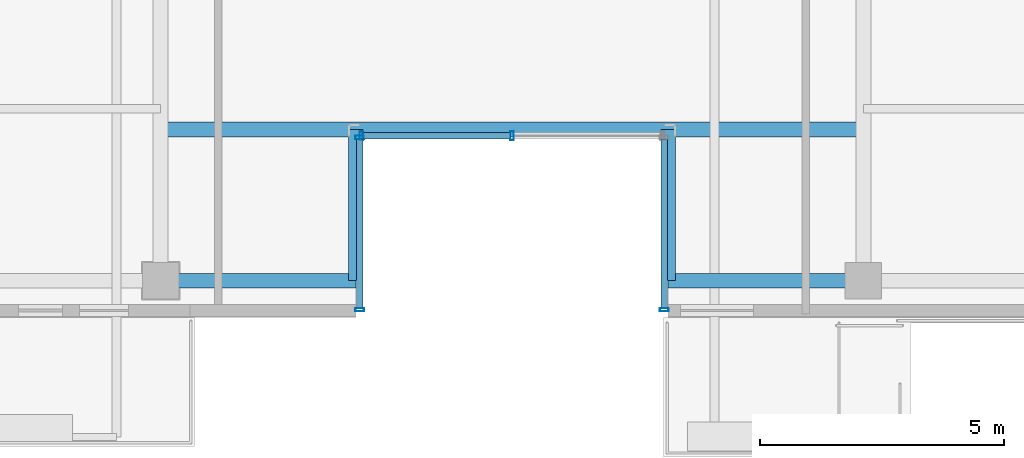
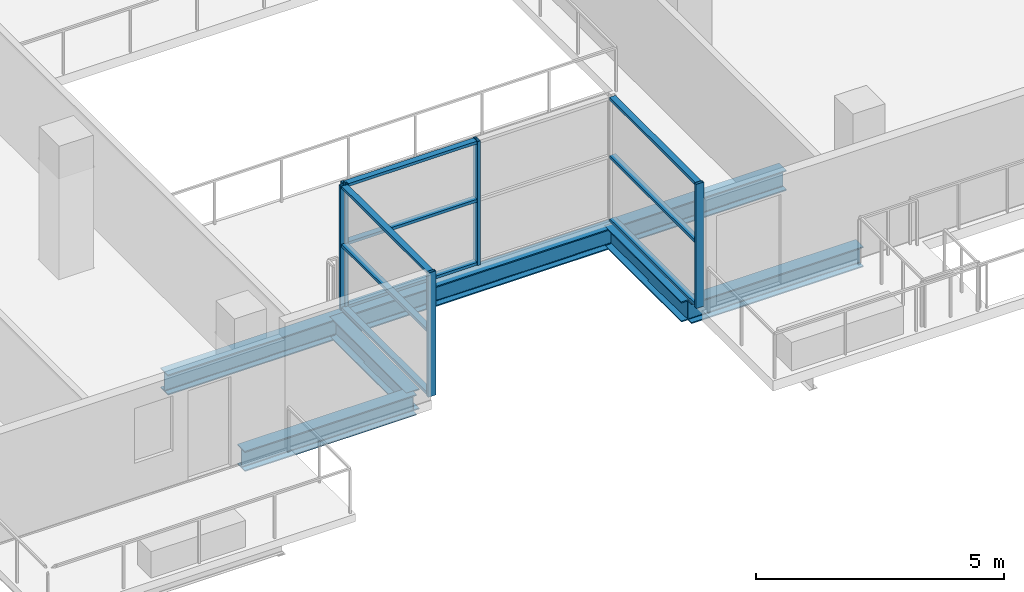
# One storey, part 5 of 23: 14 members, 5 beams, 3 elements without a shape of their own.
"""IFC4 building model written with IfcOpenShell, lengths in metres."""

from ifc_helpers import new_model, si_unit, direction, frame, origin, origin_2d, place, context, subcontext, project, spatial, hollow_rectangle, i_section, extrude, source, transform, mapped, material, layer, layer_set, material_profile, profile_set, type_object, element, aggregate, save


model = new_model("IFC4")

# Units and contexts
model_context = context("Model", 3, precision=1e-05, world=origin(), true_north=direction((0.0, 1.0)))
body_context = subcontext(model_context, "Body", "Model", "MODEL_VIEW")
ifc_project = project(units=[si_unit("LENGTHUNIT", "METRE"), si_unit("AREAUNIT", "SQUARE_METRE"), si_unit("VOLUMEUNIT", "CUBIC_METRE"), si_unit("PLANEANGLEUNIT", "RADIAN"), si_unit("MASSUNIT", "GRAM", prefix="KILO")], contexts=[model_context])

# Site, building, storey
site_placement = place(None, origin())
site = spatial("IfcSite", under=ifc_project, at=site_placement, CompositionType="ELEMENT")
building_placement = place(site_placement, origin())
building = spatial("IfcBuilding", under=site, at=building_placement, Name="Zarnakvel Exchange Tower", CompositionType="ELEMENT")
storey_placement = place(building_placement, frame((0.0, 0.0, 175.89990234375)))
storey = spatial("IfcBuildingStorey", under=building, at=storey_placement, Name="L49", CompositionType="ELEMENT", Elevation=175.89990234375)

# Beams
ifc_material_1 = material(Name="Steel S355", Category="steel")
ifc_material_profile_1 = material_profile(ifc_material_1, i_section(OverallWidth=0.300048828125, OverallDepth=0.5, WebThickness=0.014404296875, FlangeThickness=0.028076171875, FilletRadius=0.027099609375, at=origin_2d()))
ifc_profile_set_1 = profile_set([ifc_material_profile_1], Name="Steel S355")
beam_type_1 = type_object("IfcBeamType", Name="G-06", PredefinedType="BEAM", material=ifc_profile_set_1)
for number, where, z_axis, x_axis, name in (
    (1, (-3.199951171875, -16.64990234375, -0.474853515625), (0.0, 1.0, 0.0), (-1.0, 0.0, 0.0), "L49 South Slot West Cheek Beam"),
    (2, (3.199951171875, -16.64990234375, -0.474853515625), (0.0, 1.0, 0.0), (-1.0, 0.0, 0.0), "L49 South Slot East Cheek Beam"),
):
    element("IfcBeam", number, at=place(storey_placement, frame(where, z_axis=z_axis, x_axis=x_axis)), inside=storey, type_object=beam_type_1, Name=name, PredefinedType="BEAM", context=body_context, shape_type="SweptSolid", body=[
        extrude(i_section(OverallWidth=0.300048828125, OverallDepth=0.5, WebThickness=0.014404296875, FlangeThickness=0.028076171875, FilletRadius=0.027099609375, at=origin_2d()), origin(), (0.0, 0.0, 1.0), 3.099853515625),
    ])
ifc_material_profile_2 = material_profile(ifc_material_1, i_section(OverallWidth=0.300048828125, OverallDepth=0.5, WebThickness=0.014404296875, FlangeThickness=0.028076171875, FilletRadius=0.027099609375, at=origin_2d()))
ifc_profile_set_2 = profile_set([ifc_material_profile_2], Name="Steel S355")
beam_type_2 = type_object("IfcBeamType", Name="SP-02", PredefinedType="SPANDREL", material=ifc_profile_set_2)
for number, where, z_axis, x_axis, name in (
    (3, (-7.199951171875, -16.64990234375, -0.474853515625), (1.0, 0.0, 0.0), (0.0, 1.0, 0.0), "L49 South Slot West Jamb Spandrel"),
    (4, (3.199951171875, -16.64990234375, -0.474853515625), (1.0, 0.0, 0.0), (0.0, 1.0, 0.0), "L49 South Slot East Jamb Spandrel"),
):
    element("IfcBeam", number, at=place(storey_placement, frame(where, z_axis=z_axis, x_axis=x_axis)), inside=storey, type_object=beam_type_2, Name=name, PredefinedType="SPANDREL", context=body_context, shape_type="SweptSolid", body=[
        extrude(i_section(OverallWidth=0.300048828125, OverallDepth=0.5, WebThickness=0.014404296875, FlangeThickness=0.028076171875, FilletRadius=0.027099609375, at=origin_2d()), origin(), (0.0, 0.0, 1.0), 4.0),
    ])
beam_placement = place(storey_placement, frame((-7.199951171875, -13.550048828125, -0.474853515625), z_axis=(1.0, 0.0, 0.0), x_axis=(0.0, 1.0, 0.0)))
element("IfcBeam", 5, at=beam_placement, inside=storey, type_object=beam_type_2, Name="L49 South Slot Head Trimmer Girder", PredefinedType="SPANDREL", context=body_context, shape_type="SweptSolid", body=[
    extrude(i_section(OverallWidth=0.300048828125, OverallDepth=0.5, WebThickness=0.014404296875, FlangeThickness=0.028076171875, FilletRadius=0.027099609375, at=origin_2d()), origin(), (0.0, 0.0, 1.0), 14.39990234375),
])

# Curtain wall, members
ifc_material_2 = material(Name="Architectural Bronze Anodised Aluminium", Category="aluminium")
ifc_layer = layer(ifc_material_2, 0.179931640625)
ifc_layer_set = layer_set([ifc_layer], Name="Architectural Bronze Anodised Aluminium")
curtain_wall_type = type_object("IfcCurtainWallType", Name="CW-05", PredefinedType="NOTDEFINED", material=ifc_layer_set)
curtain_wall_1_placement = place(storey_placement, origin())
curtain_wall_1 = element("IfcCurtainWall", 6, at=curtain_wall_1_placement, inside=storey, type_object=curtain_wall_type, Name="L49 Curtain Wall CW-L49-SLW (CW-05)", PredefinedType="NOTDEFINED")
ifc_material_profile_3 = material_profile(ifc_material_2, hollow_rectangle(XDim=0.179931640625, YDim=0.070068359375, WallThickness=0.00390625, at=origin_2d()))
ifc_profile_set_3 = profile_set([ifc_material_profile_3], Name="Architectural Bronze Anodised Aluminium")
member_type_1 = type_object("IfcMemberType", Name="CWM-05", PredefinedType="MULLION", material=ifc_profile_set_3)
shared_shape_1 = source(origin(), body_context, "Body", "SweptSolid", [
    extrude(hollow_rectangle(XDim=0.179931640625, YDim=0.070068359375, WallThickness=0.00390625, at=origin_2d()), origin(), (0.0, 0.0, 1.0), 3.05517578125),
])
member_1_placement = place(storey_placement, frame((-3.1201171875, -17.2451171875, 0.0), z_axis=(0.0, 0.0, 1.0), x_axis=(-1.0, 0.0, 0.0)))
member_1 = element("IfcMember", 7, at=member_1_placement, type_object=member_type_1, Name="CW-05 mullion 1", PredefinedType="MULLION", context=body_context, shape_type="MappedRepresentation", body=[
    mapped(shared_shape_1, transform((0.0, 0.0, 0.0), x_axis=(1.0, 0.0, 0.0), y_axis=(0.0, 1.0, 0.0), z_axis=(0.0, 0.0, 1.0), scale=1.0)),
])
member_2_placement = place(storey_placement, frame((-3.1201171875, -13.715087890625, 0.0), z_axis=(0.0, 0.0, 1.0), x_axis=(-1.0, 0.0, 0.0)))
member_2 = element("IfcMember", 8, at=member_2_placement, type_object=member_type_1, Name="CW-05 mullion 2", PredefinedType="MULLION", context=body_context, shape_type="MappedRepresentation", body=[
    mapped(shared_shape_1, transform((0.0, 0.0, 0.0), x_axis=(1.0, 0.0, 0.0), y_axis=(0.0, 1.0, 0.0), z_axis=(0.0, 0.0, 1.0), scale=1.0)),
])

curtain_wall_2_placement = place(storey_placement, origin())
curtain_wall_2 = element("IfcCurtainWall", 9, at=curtain_wall_2_placement, inside=storey, type_object=curtain_wall_type, Name="L49 Curtain Wall CW-L49-SLB (CW-05)", PredefinedType="NOTDEFINED")
member_3_placement = place(storey_placement, frame((-3.0849609375, -13.679931640625, 0.0), z_axis=(0.0, 0.0, 1.0), x_axis=(0.0, 1.0, 0.0)))
member_3 = element("IfcMember", 10, at=member_3_placement, type_object=member_type_1, Name="CW-05 mullion 1", PredefinedType="MULLION", context=body_context, shape_type="MappedRepresentation", body=[
    mapped(shared_shape_1, transform((0.0, 0.0, 0.0), x_axis=(1.0, 0.0, 0.0), y_axis=(0.0, 1.0, 0.0), z_axis=(0.0, 0.0, 1.0), scale=1.0)),
])
member_4_placement = place(storey_placement, frame((0.0, -13.679931640625, 0.0), z_axis=(0.0, 0.0, 1.0), x_axis=(0.0, 1.0, 0.0)))
member_4 = element("IfcMember", 11, at=member_4_placement, type_object=member_type_1, Name="CW-05 mullion 2", PredefinedType="MULLION", context=body_context, shape_type="MappedRepresentation", body=[
    mapped(shared_shape_1, transform((0.0, 0.0, 0.0), x_axis=(1.0, 0.0, 0.0), y_axis=(0.0, 1.0, 0.0), z_axis=(0.0, 0.0, 1.0), scale=1.0)),
])

# Curtain wall, member
curtain_wall_3_placement = place(storey_placement, origin())
curtain_wall_3 = element("IfcCurtainWall", 12, at=curtain_wall_3_placement, inside=storey, type_object=curtain_wall_type, Name="L49 Curtain Wall CW-L49-SLE (CW-05)", PredefinedType="NOTDEFINED")
member_5_placement = place(storey_placement, frame((3.1201171875, -17.2451171875, 0.0), z_axis=(0.0, 0.0, 1.0), x_axis=(1.0, 0.0, 0.0)))
member_5 = element("IfcMember", 13, at=member_5_placement, type_object=member_type_1, Name="CW-05 mullion 2", PredefinedType="MULLION", context=body_context, shape_type="MappedRepresentation", body=[
    mapped(shared_shape_1, transform((0.0, 0.0, 0.0), x_axis=(1.0, 0.0, 0.0), y_axis=(0.0, 1.0, 0.0), z_axis=(0.0, 0.0, 1.0), scale=1.0)),
])

# Member
ifc_material_profile_4 = material_profile(ifc_material_2, hollow_rectangle(XDim=0.139892578125, YDim=0.070068359375, WallThickness=0.00390625, at=origin_2d()))
ifc_profile_set_4 = profile_set([ifc_material_profile_4], Name="Architectural Bronze Anodised Aluminium")
member_type_2 = type_object("IfcMemberType", Name="CWT-05", PredefinedType="USERDEFINED", material=ifc_profile_set_4)
shared_shape_2 = source(origin(), body_context, "Body", "SweptSolid", [
    extrude(hollow_rectangle(XDim=0.139892578125, YDim=0.070068359375, WallThickness=0.00390625, at=origin_2d()), origin(), (0.0, 0.0, 1.0), 3.4599609375),
])
member_6_placement = place(storey_placement, frame((-3.1201171875, -17.2099609375, 0.03515625), z_axis=(0.0, 1.0, 0.0), x_axis=(-1.0, 0.0, 0.0)))
member_6 = element("IfcMember", 14, at=member_6_placement, type_object=member_type_2, Name="CW-05 transom 1.1", ObjectType="TRANSOM", PredefinedType="USERDEFINED", context=body_context, shape_type="MappedRepresentation", body=[
    mapped(shared_shape_2, transform((0.0, 0.0, 0.0), x_axis=(1.0, 0.0, 0.0), y_axis=(0.0, 1.0, 0.0), z_axis=(0.0, 0.0, 1.0), scale=1.0)),
])

member_7_placement = place(storey_placement, frame((-3.1201171875, -17.2099609375, 1.588623046875), z_axis=(0.0, 1.0, 0.0), x_axis=(-1.0, 0.0, 0.0)))
member_7 = element("IfcMember", 15, at=member_7_placement, type_object=member_type_2, Name="CW-05 transom 1.2", ObjectType="TRANSOM", PredefinedType="USERDEFINED", context=body_context, shape_type="MappedRepresentation", body=[
    mapped(shared_shape_2, transform((0.0, 0.0, 0.0), x_axis=(1.0, 0.0, 0.0), y_axis=(0.0, 1.0, 0.0), z_axis=(0.0, 0.0, 1.0), scale=1.0)),
])

member_8_placement = place(storey_placement, frame((-3.1201171875, -17.2099609375, 3.02001953125), z_axis=(0.0, 1.0, 0.0), x_axis=(-1.0, 0.0, 0.0)))
member_8 = element("IfcMember", 16, at=member_8_placement, type_object=member_type_2, Name="CW-05 transom 1.3", ObjectType="TRANSOM", PredefinedType="USERDEFINED", context=body_context, shape_type="MappedRepresentation", body=[
    mapped(shared_shape_2, transform((0.0, 0.0, 0.0), x_axis=(1.0, 0.0, 0.0), y_axis=(0.0, 1.0, 0.0), z_axis=(0.0, 0.0, 1.0), scale=1.0)),
])

aggregate(curtain_wall_1, [member_1, member_2, member_6, member_7, member_8])

member_9_placement = place(storey_placement, frame((3.1201171875, -13.75, 0.03515625), z_axis=(0.0, -1.0, 0.0), x_axis=(1.0, 0.0, 0.0)))
member_9 = element("IfcMember", 17, at=member_9_placement, type_object=member_type_2, Name="CW-05 transom 1.1", ObjectType="TRANSOM", PredefinedType="USERDEFINED", context=body_context, shape_type="MappedRepresentation", body=[
    mapped(shared_shape_2, transform((0.0, 0.0, 0.0), x_axis=(1.0, 0.0, 0.0), y_axis=(0.0, 1.0, 0.0), z_axis=(0.0, 0.0, 1.0), scale=1.0)),
])

member_10_placement = place(storey_placement, frame((3.1201171875, -13.75, 1.588623046875), z_axis=(0.0, -1.0, 0.0), x_axis=(1.0, 0.0, 0.0)))
member_10 = element("IfcMember", 18, at=member_10_placement, type_object=member_type_2, Name="CW-05 transom 1.2", ObjectType="TRANSOM", PredefinedType="USERDEFINED", context=body_context, shape_type="MappedRepresentation", body=[
    mapped(shared_shape_2, transform((0.0, 0.0, 0.0), x_axis=(1.0, 0.0, 0.0), y_axis=(0.0, 1.0, 0.0), z_axis=(0.0, 0.0, 1.0), scale=1.0)),
])

member_11_placement = place(storey_placement, frame((3.1201171875, -13.75, 3.02001953125), z_axis=(0.0, -1.0, 0.0), x_axis=(1.0, 0.0, 0.0)))
member_11 = element("IfcMember", 19, at=member_11_placement, type_object=member_type_2, Name="CW-05 transom 1.3", ObjectType="TRANSOM", PredefinedType="USERDEFINED", context=body_context, shape_type="MappedRepresentation", body=[
    mapped(shared_shape_2, transform((0.0, 0.0, 0.0), x_axis=(1.0, 0.0, 0.0), y_axis=(0.0, 1.0, 0.0), z_axis=(0.0, 0.0, 1.0), scale=1.0)),
])

aggregate(curtain_wall_3, [member_5, member_9, member_10, member_11])

shared_shape_3 = source(origin(), body_context, "Body", "SweptSolid", [
    extrude(hollow_rectangle(XDim=0.139892578125, YDim=0.070068359375, WallThickness=0.00390625, at=origin_2d()), origin(), (0.0, 0.0, 1.0), 3.01513671875),
])
member_12_placement = place(storey_placement, frame((-3.050048828125, -13.679931640625, 0.03515625), z_axis=(1.0, 0.0, 0.0), x_axis=(0.0, 1.0, 0.0)))
member_12 = element("IfcMember", 20, at=member_12_placement, type_object=member_type_2, Name="CW-05 transom 1.1", ObjectType="TRANSOM", PredefinedType="USERDEFINED", context=body_context, shape_type="MappedRepresentation", body=[
    mapped(shared_shape_3, transform((0.0, 0.0, 0.0), x_axis=(1.0, 0.0, 0.0), y_axis=(0.0, 1.0, 0.0), z_axis=(0.0, 0.0, 1.0), scale=1.0)),
])

member_13_placement = place(storey_placement, frame((-3.050048828125, -13.679931640625, 1.588623046875), z_axis=(1.0, 0.0, 0.0), x_axis=(0.0, 1.0, 0.0)))
member_13 = element("IfcMember", 21, at=member_13_placement, type_object=member_type_2, Name="CW-05 transom 1.2", ObjectType="TRANSOM", PredefinedType="USERDEFINED", context=body_context, shape_type="MappedRepresentation", body=[
    mapped(shared_shape_3, transform((0.0, 0.0, 0.0), x_axis=(1.0, 0.0, 0.0), y_axis=(0.0, 1.0, 0.0), z_axis=(0.0, 0.0, 1.0), scale=1.0)),
])

member_14_placement = place(storey_placement, frame((-3.050048828125, -13.679931640625, 3.02001953125), z_axis=(1.0, 0.0, 0.0), x_axis=(0.0, 1.0, 0.0)))
member_14 = element("IfcMember", 22, at=member_14_placement, type_object=member_type_2, Name="CW-05 transom 1.3", ObjectType="TRANSOM", PredefinedType="USERDEFINED", context=body_context, shape_type="MappedRepresentation", body=[
    mapped(shared_shape_3, transform((0.0, 0.0, 0.0), x_axis=(1.0, 0.0, 0.0), y_axis=(0.0, 1.0, 0.0), z_axis=(0.0, 0.0, 1.0), scale=1.0)),
])

aggregate(curtain_wall_2, [member_3, member_4, member_12, member_13, member_14])

save(model, "model.ifc")
